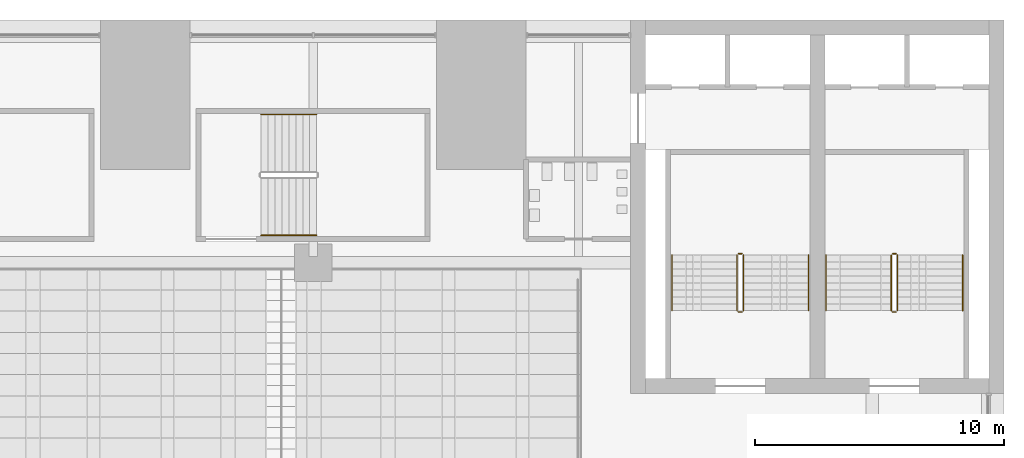
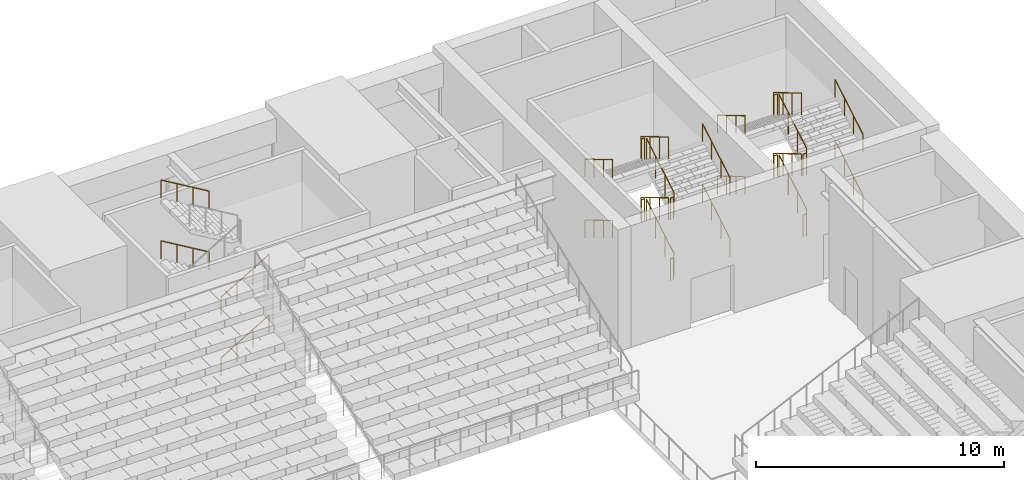
# One storey, part 60 of 61: 5 railings.
"""IFC4 building model written with IfcOpenShell, lengths in metres."""

from ifc_helpers import new_model, si_unit, direction, frame, origin, origin_2d, place, context, subcontext, project, spatial, circle, extrude, material, type_object, element, save


model = new_model("IFC4")

# Units and contexts
model_context = context("Model", 3, precision=1e-05, world=origin(), true_north=direction((0.0, 1.0)))
body_context = subcontext(model_context, "Body", "Model", "MODEL_VIEW")
ifc_project = project(units=[si_unit("LENGTHUNIT", "METRE"), si_unit("AREAUNIT", "SQUARE_METRE"), si_unit("VOLUMEUNIT", "CUBIC_METRE"), si_unit("PLANEANGLEUNIT", "RADIAN"), si_unit("MASSUNIT", "GRAM", prefix="KILO")], contexts=[model_context])

# Site, building, storey
site_placement = place(None, origin())
site = spatial("IfcSite", under=ifc_project, at=site_placement, CompositionType="ELEMENT")
building_placement = place(site_placement, origin())
building = spatial("IfcBuilding", under=site, at=building_placement, Name="Corbelhall Arena Tower", CompositionType="ELEMENT")
storey_placement = place(building_placement, frame((0.0, 0.0, 31.0)))
storey = spatial("IfcBuildingStorey", under=building, at=storey_placement, Name="L04", CompositionType="ELEMENT", Elevation=31.0)

# Railings
ifc_material = material(Name="Stainless steel A4", Category="steel")
railing_type_1 = type_object("IfcRailingType", Name="AR-STAIR-GUARD", PredefinedType="GUARDRAIL", material=ifc_material)
railing_1_placement = place(storey_placement, frame((37.530029296875, 27.320068359375, 0.166748046875)))
element("IfcRailing", 1, at=railing_1_placement, inside=storey, type_object=railing_type_1, Name="L04 AS1 stair guards", PredefinedType="GUARDRAIL", context=body_context, shape_type="SweptSolid", body=[
    extrude(circle(Radius=0.02392578125, at=origin_2d()), frame((0.0, 0.0, 1.076171875), z_axis=(0.0, 0.859305625298, 0.511462454469), x_axis=(-1.0, 0.0, 0.0)), (0.0, 0.0, 1.0), 2.606689453125),
    extrude(circle(Radius=0.02392578125, at=origin_2d()), frame((-0.050048828125, 2.2900390625, 2.4091796875), z_axis=(-1.0, 0.0, 0.0), x_axis=(0.0, -1.0, 0.0)), (0.0, 0.0, 1.0), 0.14990234375),
    extrude(circle(Radius=0.02392578125, at=origin_2d()), frame((-0.25, 2.239990234375, 2.576171875), z_axis=(0.0, -0.859305625298, 0.511462454469), x_axis=(1.0, 0.0, 0.0)), (0.0, 0.0, 1.0), 2.606689453125),
    extrude(circle(Radius=0.02392578125, at=origin_2d()), frame((-0.050048828125, -0.050048828125, 3.9091796875), z_axis=(-1.0, 0.0, 0.0), x_axis=(0.0, -1.0, 0.0)), (0.0, 0.0, 1.0), 0.14990234375),
    extrude(circle(Radius=0.02392578125, at=origin_2d()), frame((0.0, 0.0, 4.076171875), z_axis=(0.0, 0.859305625298, 0.511462454469), x_axis=(-1.0, 0.0, 0.0)), (0.0, 0.0, 1.0), 2.606689453125),
    extrude(circle(Radius=0.02392578125, at=origin_2d()), frame((-0.050048828125, 2.2900390625, 5.4091796875), z_axis=(-1.0, 0.0, 0.0), x_axis=(0.0, -1.0, 0.0)), (0.0, 0.0, 1.0), 0.14990234375),
    extrude(circle(Radius=0.02392578125, at=origin_2d()), frame((-0.25, 2.239990234375, 5.576171875), z_axis=(0.0, -0.859305625298, 0.511462454469), x_axis=(1.0, 0.0, 0.0)), (0.0, 0.0, 1.0), 2.606689453125),
    extrude(circle(Radius=0.02392578125, at=origin_2d()), frame((-0.050048828125, -0.050048828125, 0.9091796875), z_axis=(-1.0, 0.0, 0.0), x_axis=(0.0, -1.0, 0.0)), (0.0, 0.0, 1.0), 0.14990234375),
    extrude(circle(Radius=0.02099609375, at=origin_2d()), origin(), (0.0, 0.0, 1.0), 1.052001953125),
    extrude(circle(Radius=0.02099609375, at=origin_2d()), frame((0.0, 0.74658203125, 0.4443359375)), (0.0, 0.0, 1.0), 1.052001953125),
    extrude(circle(Radius=0.02099609375, at=origin_2d()), frame((0.0, 1.493408203125, 0.888916015625)), (0.0, 0.0, 1.0), 1.052001953125),
    extrude(circle(Radius=0.02099609375, at=origin_2d()), frame((0.0, 2.239990234375, 1.333251953125)), (0.0, 0.0, 1.0), 1.052001953125),
    extrude(circle(Radius=0.02099609375, at=origin_2d()), frame((-0.050048828125, 2.2900390625, 1.333251953125)), (0.0, 0.0, 1.0), 1.052001953125),
    extrude(circle(Radius=0.02099609375, at=origin_2d()), frame((-0.199951171875, 2.2900390625, 1.333251953125)), (0.0, 0.0, 1.0), 1.052001953125),
    extrude(circle(Radius=0.02099609375, at=origin_2d()), frame((-0.25, 2.239990234375, 1.5)), (0.0, 0.0, 1.0), 1.052001953125),
    extrude(circle(Radius=0.02099609375, at=origin_2d()), frame((-0.25, 1.493408203125, 1.9443359375)), (0.0, 0.0, 1.0), 1.052001953125),
    extrude(circle(Radius=0.02099609375, at=origin_2d()), frame((-0.25, 0.74658203125, 2.388916015625)), (0.0, 0.0, 1.0), 1.052001953125),
    extrude(circle(Radius=0.02099609375, at=origin_2d()), frame((-0.25, 0.0, 2.833251953125)), (0.0, 0.0, 1.0), 1.052001953125),
    extrude(circle(Radius=0.02099609375, at=origin_2d()), frame((-0.050048828125, -0.050048828125, 2.833251953125)), (0.0, 0.0, 1.0), 1.052001953125),
    extrude(circle(Radius=0.02099609375, at=origin_2d()), frame((-0.199951171875, -0.050048828125, 2.833251953125)), (0.0, 0.0, 1.0), 1.052001953125),
    extrude(circle(Radius=0.02099609375, at=origin_2d()), frame((0.0, 0.0, 3.0)), (0.0, 0.0, 1.0), 1.052001953125),
    extrude(circle(Radius=0.02099609375, at=origin_2d()), frame((0.0, 0.74658203125, 3.4443359375)), (0.0, 0.0, 1.0), 1.052001953125),
    extrude(circle(Radius=0.02099609375, at=origin_2d()), frame((0.0, 1.493408203125, 3.888916015625)), (0.0, 0.0, 1.0), 1.052001953125),
    extrude(circle(Radius=0.02099609375, at=origin_2d()), frame((0.0, 2.239990234375, 4.333251953125)), (0.0, 0.0, 1.0), 1.052001953125),
    extrude(circle(Radius=0.02099609375, at=origin_2d()), frame((-0.050048828125, 2.2900390625, 4.333251953125)), (0.0, 0.0, 1.0), 1.052001953125),
    extrude(circle(Radius=0.02099609375, at=origin_2d()), frame((-0.199951171875, 2.2900390625, 4.333251953125)), (0.0, 0.0, 1.0), 1.052001953125),
    extrude(circle(Radius=0.02099609375, at=origin_2d()), frame((-0.25, 2.239990234375, 4.5)), (0.0, 0.0, 1.0), 1.052001953125),
    extrude(circle(Radius=0.02099609375, at=origin_2d()), frame((-0.25, 1.493408203125, 4.9443359375)), (0.0, 0.0, 1.0), 1.052001953125),
    extrude(circle(Radius=0.02099609375, at=origin_2d()), frame((-0.25, 0.74658203125, 5.388916015625)), (0.0, 0.0, 1.0), 1.052001953125),
    extrude(circle(Radius=0.02099609375, at=origin_2d()), frame((-0.25, 0.0, 5.833251953125)), (0.0, 0.0, 1.0), 1.052001953125),
    extrude(circle(Radius=0.02099609375, at=origin_2d()), frame((-0.050048828125, -0.050048828125, -0.166748046875)), (0.0, 0.0, 1.0), 1.052001953125),
    extrude(circle(Radius=0.02099609375, at=origin_2d()), frame((-0.199951171875, -0.050048828125, -0.166748046875)), (0.0, 0.0, 1.0), 1.052001953125),
])
railing_2_placement = place(storey_placement, frame((43.719970703125, 27.320068359375, 0.166748046875)))
element("IfcRailing", 2, at=railing_2_placement, inside=storey, type_object=railing_type_1, Name="L04 AS2 stair guards", PredefinedType="GUARDRAIL", context=body_context, shape_type="SweptSolid", body=[
    extrude(circle(Radius=0.02392578125, at=origin_2d()), frame((0.0, 0.0, 1.076171875), z_axis=(0.0, 0.859305625298, 0.511462454469), x_axis=(-1.0, 0.0, 0.0)), (0.0, 0.0, 1.0), 2.606689453125),
    extrude(circle(Radius=0.02392578125, at=origin_2d()), frame((-0.050048828125, 2.2900390625, 2.4091796875), z_axis=(-1.0, 0.0, 0.0), x_axis=(0.0, -1.0, 0.0)), (0.0, 0.0, 1.0), 0.14990234375),
    extrude(circle(Radius=0.02392578125, at=origin_2d()), frame((-0.25, 2.239990234375, 2.576171875), z_axis=(0.0, -0.859305625298, 0.511462454469), x_axis=(1.0, 0.0, 0.0)), (0.0, 0.0, 1.0), 2.606689453125),
    extrude(circle(Radius=0.02392578125, at=origin_2d()), frame((-0.050048828125, -0.050048828125, 3.9091796875), z_axis=(-1.0, 0.0, 0.0), x_axis=(0.0, -1.0, 0.0)), (0.0, 0.0, 1.0), 0.14990234375),
    extrude(circle(Radius=0.02392578125, at=origin_2d()), frame((0.0, 0.0, 4.076171875), z_axis=(0.0, 0.859305625298, 0.511462454469), x_axis=(-1.0, 0.0, 0.0)), (0.0, 0.0, 1.0), 2.606689453125),
    extrude(circle(Radius=0.02392578125, at=origin_2d()), frame((-0.050048828125, 2.2900390625, 5.4091796875), z_axis=(-1.0, 0.0, 0.0), x_axis=(0.0, -1.0, 0.0)), (0.0, 0.0, 1.0), 0.14990234375),
    extrude(circle(Radius=0.02392578125, at=origin_2d()), frame((-0.25, 2.239990234375, 5.576171875), z_axis=(0.0, -0.859305625298, 0.511462454469), x_axis=(1.0, 0.0, 0.0)), (0.0, 0.0, 1.0), 2.606689453125),
    extrude(circle(Radius=0.02392578125, at=origin_2d()), frame((-0.050048828125, -0.050048828125, 0.9091796875), z_axis=(-1.0, 0.0, 0.0), x_axis=(0.0, -1.0, 0.0)), (0.0, 0.0, 1.0), 0.14990234375),
    extrude(circle(Radius=0.02099609375, at=origin_2d()), origin(), (0.0, 0.0, 1.0), 1.052001953125),
    extrude(circle(Radius=0.02099609375, at=origin_2d()), frame((0.0, 0.74658203125, 0.4443359375)), (0.0, 0.0, 1.0), 1.052001953125),
    extrude(circle(Radius=0.02099609375, at=origin_2d()), frame((0.0, 1.493408203125, 0.888916015625)), (0.0, 0.0, 1.0), 1.052001953125),
    extrude(circle(Radius=0.02099609375, at=origin_2d()), frame((0.0, 2.239990234375, 1.333251953125)), (0.0, 0.0, 1.0), 1.052001953125),
    extrude(circle(Radius=0.02099609375, at=origin_2d()), frame((-0.050048828125, 2.2900390625, 1.333251953125)), (0.0, 0.0, 1.0), 1.052001953125),
    extrude(circle(Radius=0.02099609375, at=origin_2d()), frame((-0.199951171875, 2.2900390625, 1.333251953125)), (0.0, 0.0, 1.0), 1.052001953125),
    extrude(circle(Radius=0.02099609375, at=origin_2d()), frame((-0.25, 2.239990234375, 1.5)), (0.0, 0.0, 1.0), 1.052001953125),
    extrude(circle(Radius=0.02099609375, at=origin_2d()), frame((-0.25, 1.493408203125, 1.9443359375)), (0.0, 0.0, 1.0), 1.052001953125),
    extrude(circle(Radius=0.02099609375, at=origin_2d()), frame((-0.25, 0.74658203125, 2.388916015625)), (0.0, 0.0, 1.0), 1.052001953125),
    extrude(circle(Radius=0.02099609375, at=origin_2d()), frame((-0.25, 0.0, 2.833251953125)), (0.0, 0.0, 1.0), 1.052001953125),
    extrude(circle(Radius=0.02099609375, at=origin_2d()), frame((-0.050048828125, -0.050048828125, 2.833251953125)), (0.0, 0.0, 1.0), 1.052001953125),
    extrude(circle(Radius=0.02099609375, at=origin_2d()), frame((-0.199951171875, -0.050048828125, 2.833251953125)), (0.0, 0.0, 1.0), 1.052001953125),
    extrude(circle(Radius=0.02099609375, at=origin_2d()), frame((0.0, 0.0, 3.0)), (0.0, 0.0, 1.0), 1.052001953125),
    extrude(circle(Radius=0.02099609375, at=origin_2d()), frame((0.0, 0.74658203125, 3.4443359375)), (0.0, 0.0, 1.0), 1.052001953125),
    extrude(circle(Radius=0.02099609375, at=origin_2d()), frame((0.0, 1.493408203125, 3.888916015625)), (0.0, 0.0, 1.0), 1.052001953125),
    extrude(circle(Radius=0.02099609375, at=origin_2d()), frame((0.0, 2.239990234375, 4.333251953125)), (0.0, 0.0, 1.0), 1.052001953125),
    extrude(circle(Radius=0.02099609375, at=origin_2d()), frame((-0.050048828125, 2.2900390625, 4.333251953125)), (0.0, 0.0, 1.0), 1.052001953125),
    extrude(circle(Radius=0.02099609375, at=origin_2d()), frame((-0.199951171875, 2.2900390625, 4.333251953125)), (0.0, 0.0, 1.0), 1.052001953125),
    extrude(circle(Radius=0.02099609375, at=origin_2d()), frame((-0.25, 2.239990234375, 4.5)), (0.0, 0.0, 1.0), 1.052001953125),
    extrude(circle(Radius=0.02099609375, at=origin_2d()), frame((-0.25, 1.493408203125, 4.9443359375)), (0.0, 0.0, 1.0), 1.052001953125),
    extrude(circle(Radius=0.02099609375, at=origin_2d()), frame((-0.25, 0.74658203125, 5.388916015625)), (0.0, 0.0, 1.0), 1.052001953125),
    extrude(circle(Radius=0.02099609375, at=origin_2d()), frame((-0.25, 0.0, 5.833251953125)), (0.0, 0.0, 1.0), 1.052001953125),
    extrude(circle(Radius=0.02099609375, at=origin_2d()), frame((-0.050048828125, -0.050048828125, -0.166748046875)), (0.0, 0.0, 1.0), 1.052001953125),
    extrude(circle(Radius=0.02099609375, at=origin_2d()), frame((-0.199951171875, -0.050048828125, -0.166748046875)), (0.0, 0.0, 1.0), 1.052001953125),
])
railing_type_2 = type_object("IfcRailingType", Name="AR-STAIR-HANDRAIL", PredefinedType="HANDRAIL", material=ifc_material)
railing_3_placement = place(storey_placement, frame((18.14990234375, 30.35009765625, 0.166748046875)))
element("IfcRailing", 3, at=railing_3_placement, inside=storey, type_object=railing_type_2, Name="L04 AS12 stair handrails", PredefinedType="HANDRAIL", context=body_context, shape_type="SweptSolid", body=[
    extrude(circle(Radius=0.02392578125, at=origin_2d()), frame((0.0, 0.0, 0.8759765625), z_axis=(0.859305625298, 0.0, 0.511462454469), x_axis=(0.0, 1.0, 0.0)), (0.0, 0.0, 1.0), 2.606689453125),
    extrude(circle(Radius=0.02392578125, at=origin_2d()), frame((2.239990234375, 4.849853515625, 2.3759765625), z_axis=(-0.859305625298, 0.0, 0.511462454469), x_axis=(0.0, -1.0, 0.0)), (0.0, 0.0, 1.0), 2.606689453125),
    extrude(circle(Radius=0.02392578125, at=origin_2d()), frame((0.0, 0.0, 3.8759765625), z_axis=(0.859305625298, 0.0, 0.511462454469), x_axis=(0.0, 1.0, 0.0)), (0.0, 0.0, 1.0), 2.606689453125),
    extrude(circle(Radius=0.02392578125, at=origin_2d()), frame((2.239990234375, 4.849853515625, 5.3759765625), z_axis=(-0.859305625298, 0.0, 0.511462454469), x_axis=(0.0, -1.0, 0.0)), (0.0, 0.0, 1.0), 2.606689453125),
    extrude(circle(Radius=0.02099609375, at=origin_2d()), origin(), (0.0, 0.0, 1.0), 0.851806640625),
    extrude(circle(Radius=0.02099609375, at=origin_2d()), frame((0.74658203125, 0.0, 0.4443359375)), (0.0, 0.0, 1.0), 0.851806640625),
    extrude(circle(Radius=0.02099609375, at=origin_2d()), frame((1.493408203125, 0.0, 0.888916015625)), (0.0, 0.0, 1.0), 0.851806640625),
    extrude(circle(Radius=0.02099609375, at=origin_2d()), frame((2.239990234375, 0.0, 1.333251953125)), (0.0, 0.0, 1.0), 0.851806640625),
    extrude(circle(Radius=0.02099609375, at=origin_2d()), frame((2.239990234375, 4.849853515625, 1.5)), (0.0, 0.0, 1.0), 0.851806640625),
    extrude(circle(Radius=0.02099609375, at=origin_2d()), frame((1.493408203125, 4.849853515625, 1.9443359375)), (0.0, 0.0, 1.0), 0.851806640625),
    extrude(circle(Radius=0.02099609375, at=origin_2d()), frame((0.74658203125, 4.849853515625, 2.388916015625)), (0.0, 0.0, 1.0), 0.851806640625),
    extrude(circle(Radius=0.02099609375, at=origin_2d()), frame((0.0, 4.849853515625, 2.833251953125)), (0.0, 0.0, 1.0), 0.851806640625),
    extrude(circle(Radius=0.02099609375, at=origin_2d()), frame((0.0, 0.0, 3.0)), (0.0, 0.0, 1.0), 0.851806640625),
    extrude(circle(Radius=0.02099609375, at=origin_2d()), frame((0.74658203125, 0.0, 3.4443359375)), (0.0, 0.0, 1.0), 0.851806640625),
    extrude(circle(Radius=0.02099609375, at=origin_2d()), frame((1.493408203125, 0.0, 3.888916015625)), (0.0, 0.0, 1.0), 0.851806640625),
    extrude(circle(Radius=0.02099609375, at=origin_2d()), frame((2.239990234375, 0.0, 4.333251953125)), (0.0, 0.0, 1.0), 0.851806640625),
    extrude(circle(Radius=0.02099609375, at=origin_2d()), frame((2.239990234375, 4.849853515625, 4.5)), (0.0, 0.0, 1.0), 0.851806640625),
    extrude(circle(Radius=0.02099609375, at=origin_2d()), frame((1.493408203125, 4.849853515625, 4.9443359375)), (0.0, 0.0, 1.0), 0.851806640625),
    extrude(circle(Radius=0.02099609375, at=origin_2d()), frame((0.74658203125, 4.849853515625, 5.388916015625)), (0.0, 0.0, 1.0), 0.851806640625),
    extrude(circle(Radius=0.02099609375, at=origin_2d()), frame((0.0, 4.849853515625, 5.833251953125)), (0.0, 0.0, 1.0), 0.851806640625),
])
railing_4_placement = place(storey_placement, frame((40.14990234375, 27.320068359375, 0.166748046875)))
element("IfcRailing", 4, at=railing_4_placement, inside=storey, type_object=railing_type_2, Name="L04 AS1 stair handrails", PredefinedType="HANDRAIL", context=body_context, shape_type="SweptSolid", body=[
    extrude(circle(Radius=0.02392578125, at=origin_2d()), frame((0.0, 0.0, 0.8759765625), z_axis=(0.0, 0.859305625298, 0.511462454469), x_axis=(-1.0, 0.0, 0.0)), (0.0, 0.0, 1.0), 2.606689453125),
    extrude(circle(Radius=0.02392578125, at=origin_2d()), frame((-5.489990234375, 2.239990234375, 2.3759765625), z_axis=(0.0, -0.859305625298, 0.511462454469), x_axis=(1.0, 0.0, 0.0)), (0.0, 0.0, 1.0), 2.606689453125),
    extrude(circle(Radius=0.02392578125, at=origin_2d()), frame((0.0, 0.0, 3.8759765625), z_axis=(0.0, 0.859305625298, 0.511462454469), x_axis=(-1.0, 0.0, 0.0)), (0.0, 0.0, 1.0), 2.606689453125),
    extrude(circle(Radius=0.02392578125, at=origin_2d()), frame((-5.489990234375, 2.239990234375, 5.3759765625), z_axis=(0.0, -0.859305625298, 0.511462454469), x_axis=(1.0, 0.0, 0.0)), (0.0, 0.0, 1.0), 2.606689453125),
    extrude(circle(Radius=0.02099609375, at=origin_2d()), origin(), (0.0, 0.0, 1.0), 0.851806640625),
    extrude(circle(Radius=0.02099609375, at=origin_2d()), frame((0.0, 0.74658203125, 0.4443359375)), (0.0, 0.0, 1.0), 0.851806640625),
    extrude(circle(Radius=0.02099609375, at=origin_2d()), frame((0.0, 1.493408203125, 0.888916015625)), (0.0, 0.0, 1.0), 0.851806640625),
    extrude(circle(Radius=0.02099609375, at=origin_2d()), frame((0.0, 2.239990234375, 1.333251953125)), (0.0, 0.0, 1.0), 0.851806640625),
    extrude(circle(Radius=0.02099609375, at=origin_2d()), frame((-5.489990234375, 2.239990234375, 1.5)), (0.0, 0.0, 1.0), 0.851806640625),
    extrude(circle(Radius=0.02099609375, at=origin_2d()), frame((-5.489990234375, 1.493408203125, 1.9443359375)), (0.0, 0.0, 1.0), 0.851806640625),
    extrude(circle(Radius=0.02099609375, at=origin_2d()), frame((-5.489990234375, 0.74658203125, 2.388916015625)), (0.0, 0.0, 1.0), 0.851806640625),
    extrude(circle(Radius=0.02099609375, at=origin_2d()), frame((-5.489990234375, 0.0, 2.833251953125)), (0.0, 0.0, 1.0), 0.851806640625),
    extrude(circle(Radius=0.02099609375, at=origin_2d()), frame((0.0, 0.0, 3.0)), (0.0, 0.0, 1.0), 0.851806640625),
    extrude(circle(Radius=0.02099609375, at=origin_2d()), frame((0.0, 0.74658203125, 3.4443359375)), (0.0, 0.0, 1.0), 0.851806640625),
    extrude(circle(Radius=0.02099609375, at=origin_2d()), frame((0.0, 1.493408203125, 3.888916015625)), (0.0, 0.0, 1.0), 0.851806640625),
    extrude(circle(Radius=0.02099609375, at=origin_2d()), frame((0.0, 2.239990234375, 4.333251953125)), (0.0, 0.0, 1.0), 0.851806640625),
    extrude(circle(Radius=0.02099609375, at=origin_2d()), frame((-5.489990234375, 2.239990234375, 4.5)), (0.0, 0.0, 1.0), 0.851806640625),
    extrude(circle(Radius=0.02099609375, at=origin_2d()), frame((-5.489990234375, 1.493408203125, 4.9443359375)), (0.0, 0.0, 1.0), 0.851806640625),
    extrude(circle(Radius=0.02099609375, at=origin_2d()), frame((-5.489990234375, 0.74658203125, 5.388916015625)), (0.0, 0.0, 1.0), 0.851806640625),
    extrude(circle(Radius=0.02099609375, at=origin_2d()), frame((-5.489990234375, 0.0, 5.833251953125)), (0.0, 0.0, 1.0), 0.851806640625),
])
railing_5_placement = place(storey_placement, frame((46.340087890625, 27.320068359375, 0.166748046875)))
element("IfcRailing", 5, at=railing_5_placement, inside=storey, type_object=railing_type_2, Name="L04 AS2 stair handrails", PredefinedType="HANDRAIL", context=body_context, shape_type="SweptSolid", body=[
    extrude(circle(Radius=0.02392578125, at=origin_2d()), frame((0.0, 0.0, 0.8759765625), z_axis=(0.0, 0.859305625298, 0.511462454469), x_axis=(-1.0, 0.0, 0.0)), (0.0, 0.0, 1.0), 2.606689453125),
    extrude(circle(Radius=0.02392578125, at=origin_2d()), frame((-5.489990234375, 2.239990234375, 2.3759765625), z_axis=(0.0, -0.859305625298, 0.511462454469), x_axis=(1.0, 0.0, 0.0)), (0.0, 0.0, 1.0), 2.606689453125),
    extrude(circle(Radius=0.02392578125, at=origin_2d()), frame((0.0, 0.0, 3.8759765625), z_axis=(0.0, 0.859305625298, 0.511462454469), x_axis=(-1.0, 0.0, 0.0)), (0.0, 0.0, 1.0), 2.606689453125),
    extrude(circle(Radius=0.02392578125, at=origin_2d()), frame((-5.489990234375, 2.239990234375, 5.3759765625), z_axis=(0.0, -0.859305625298, 0.511462454469), x_axis=(1.0, 0.0, 0.0)), (0.0, 0.0, 1.0), 2.606689453125),
    extrude(circle(Radius=0.02099609375, at=origin_2d()), origin(), (0.0, 0.0, 1.0), 0.851806640625),
    extrude(circle(Radius=0.02099609375, at=origin_2d()), frame((0.0, 0.74658203125, 0.4443359375)), (0.0, 0.0, 1.0), 0.851806640625),
    extrude(circle(Radius=0.02099609375, at=origin_2d()), frame((0.0, 1.493408203125, 0.888916015625)), (0.0, 0.0, 1.0), 0.851806640625),
    extrude(circle(Radius=0.02099609375, at=origin_2d()), frame((0.0, 2.239990234375, 1.333251953125)), (0.0, 0.0, 1.0), 0.851806640625),
    extrude(circle(Radius=0.02099609375, at=origin_2d()), frame((-5.489990234375, 2.239990234375, 1.5)), (0.0, 0.0, 1.0), 0.851806640625),
    extrude(circle(Radius=0.02099609375, at=origin_2d()), frame((-5.489990234375, 1.493408203125, 1.9443359375)), (0.0, 0.0, 1.0), 0.851806640625),
    extrude(circle(Radius=0.02099609375, at=origin_2d()), frame((-5.489990234375, 0.74658203125, 2.388916015625)), (0.0, 0.0, 1.0), 0.851806640625),
    extrude(circle(Radius=0.02099609375, at=origin_2d()), frame((-5.489990234375, 0.0, 2.833251953125)), (0.0, 0.0, 1.0), 0.851806640625),
    extrude(circle(Radius=0.02099609375, at=origin_2d()), frame((0.0, 0.0, 3.0)), (0.0, 0.0, 1.0), 0.851806640625),
    extrude(circle(Radius=0.02099609375, at=origin_2d()), frame((0.0, 0.74658203125, 3.4443359375)), (0.0, 0.0, 1.0), 0.851806640625),
    extrude(circle(Radius=0.02099609375, at=origin_2d()), frame((0.0, 1.493408203125, 3.888916015625)), (0.0, 0.0, 1.0), 0.851806640625),
    extrude(circle(Radius=0.02099609375, at=origin_2d()), frame((0.0, 2.239990234375, 4.333251953125)), (0.0, 0.0, 1.0), 0.851806640625),
    extrude(circle(Radius=0.02099609375, at=origin_2d()), frame((-5.489990234375, 2.239990234375, 4.5)), (0.0, 0.0, 1.0), 0.851806640625),
    extrude(circle(Radius=0.02099609375, at=origin_2d()), frame((-5.489990234375, 1.493408203125, 4.9443359375)), (0.0, 0.0, 1.0), 0.851806640625),
    extrude(circle(Radius=0.02099609375, at=origin_2d()), frame((-5.489990234375, 0.74658203125, 5.388916015625)), (0.0, 0.0, 1.0), 0.851806640625),
    extrude(circle(Radius=0.02099609375, at=origin_2d()), frame((-5.489990234375, 0.0, 5.833251953125)), (0.0, 0.0, 1.0), 0.851806640625),
])

save(model, "model.ifc")
